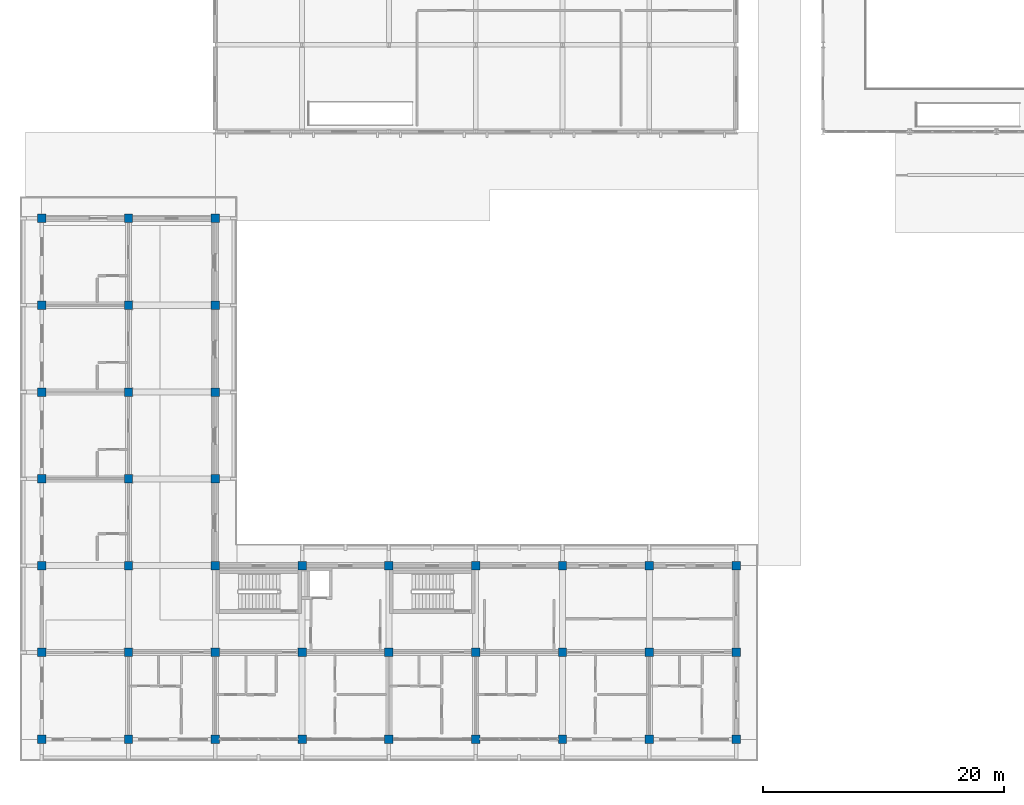
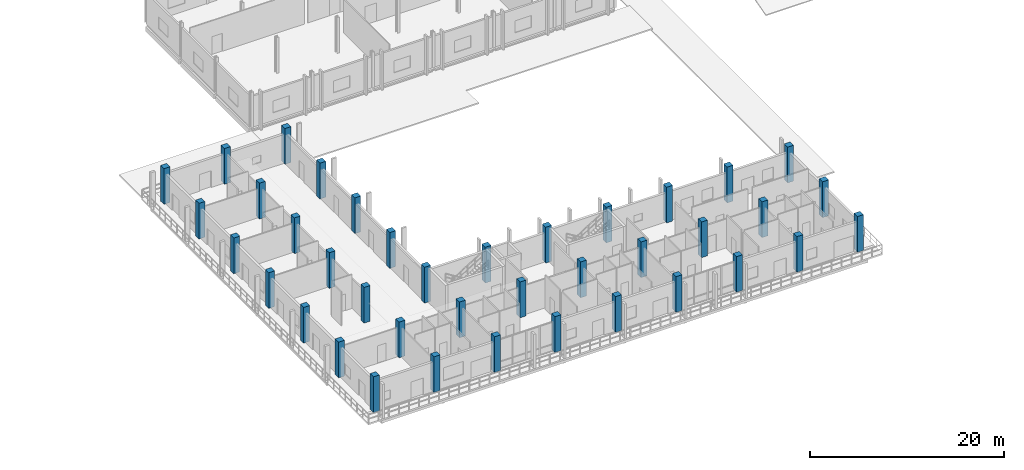
# One storey, part 1 of 110: 39 columns.
"""IFC4 building model written with IfcOpenShell, lengths in metres."""

from ifc_helpers import new_model, si_unit, direction, frame, origin, origin_2d, place, context, subcontext, project, spatial, rectangle, extrude, material, material_profile, profile_set, type_object, element, save


model = new_model("IFC4")

# Units and contexts
model_context = context("Model", 3, precision=1e-05, world=origin(), true_north=direction((0.0, 1.0)))
body_context = subcontext(model_context, "Body", "Model", "MODEL_VIEW")
ifc_project = project(units=[si_unit("LENGTHUNIT", "METRE"), si_unit("AREAUNIT", "SQUARE_METRE"), si_unit("VOLUMEUNIT", "CUBIC_METRE"), si_unit("PLANEANGLEUNIT", "RADIAN"), si_unit("MASSUNIT", "GRAM", prefix="KILO")], contexts=[model_context])

# Site, building, storey
site_placement = place(None, origin())
site = spatial("IfcSite", under=ifc_project, at=site_placement, CompositionType="ELEMENT")
building_placement = place(site_placement, origin())
building = spatial("IfcBuilding", under=site, at=building_placement, Name="Suanplinth Sawtooth Commons", CompositionType="ELEMENT")
storey_placement = place(building_placement, frame((0.0, 0.0, 4.5)))
storey = spatial("IfcBuildingStorey", under=building, at=storey_placement, Name="L01", CompositionType="ELEMENT", Elevation=4.5)

# Columns
ifc_material = material(Name="Concrete C40/50", Category="concrete")
ifc_material_profile = material_profile(ifc_material, rectangle(XDim=0.699951171875, YDim=0.699951171875, at=origin_2d()), Name="RC-COL 700x700")
ifc_profile_set = profile_set([ifc_material_profile], Name="Concrete C40/50")
column_type = type_object("IfcColumnType", Name="C-02", PredefinedType="COLUMN", material=ifc_profile_set)
for number, where, z_axis, x_axis, name in (
    (1, (0.0, 0.0, 0.0), (0.0, 0.0, 1.0), (1.0, 0.0, 0.0), "Column L01 1/A"),
    (2, (0.0, 7.199951171875, 0.0), (0.0, 0.0, 1.0), (1.0, 0.0, 0.0), "Column L01 1/B"),
    (3, (0.0, 14.39990234375, 0.0), (0.0, 0.0, 1.0), (1.0, 0.0, 0.0), "Column L01 1/C"),
    (4, (0.0, 21.60009765625, 0.0), (0.0, 0.0, 1.0), (1.0, 0.0, 0.0), "Column L01 1/D"),
    (5, (0.0, 28.800048828125, 0.0), (0.0, 0.0, 1.0), (1.0, 0.0, 0.0), "Column L01 1/E"),
    (6, (0.0, 36.0, 0.0), (0.0, 0.0, 1.0), (1.0, 0.0, 0.0), "Column L01 1/F"),
    (7, (0.0, 43.199951171875, 0.0), (0.0, 0.0, 1.0), (1.0, 0.0, 0.0), "Column L01 1/G"),
    (8, (7.199951171875, 0.0, 0.0), (0.0, 0.0, 1.0), (1.0, 0.0, 0.0), "Column L01 2/A"),
    (9, (7.199951171875, 7.199951171875, 0.0), (0.0, 0.0, 1.0), (1.0, 0.0, 0.0), "Column L01 2/B"),
    (10, (7.199951171875, 14.39990234375, 0.0), (0.0, 0.0, 1.0), (1.0, 0.0, 0.0), "Column L01 2/C"),
    (11, (7.199951171875, 21.60009765625, 0.0), (0.0, 0.0, 1.0), (1.0, 0.0, 0.0), "Column L01 2/D"),
    (12, (7.199951171875, 28.800048828125, 0.0), (0.0, 0.0, 1.0), (1.0, 0.0, 0.0), "Column L01 2/E"),
    (13, (7.199951171875, 36.0, 0.0), (0.0, 0.0, 1.0), (1.0, 0.0, 0.0), "Column L01 2/F"),
    (14, (7.199951171875, 43.199951171875, 0.0), (0.0, 0.0, 1.0), (1.0, 0.0, 0.0), "Column L01 2/G"),
    (15, (14.39990234375, 0.0, 0.0), (0.0, 0.0, 1.0), (1.0, 0.0, 0.0), "Column L01 3/A"),
    (16, (14.39990234375, 7.199951171875, 0.0), (0.0, 0.0, 1.0), (1.0, 0.0, 0.0), "Column L01 3/B"),
    (17, (14.39990234375, 14.39990234375, 0.0), (0.0, 0.0, 1.0), (1.0, 0.0, 0.0), "Column L01 3/C"),
    (18, (14.39990234375, 21.60009765625, 0.0), (0.0, 0.0, 1.0), (1.0, 0.0, 0.0), "Column L01 3/D"),
    (19, (14.39990234375, 28.800048828125, 0.0), (0.0, 0.0, 1.0), (1.0, 0.0, 0.0), "Column L01 3/E"),
    (20, (14.39990234375, 36.0, 0.0), (0.0, 0.0, 1.0), (1.0, 0.0, 0.0), "Column L01 3/F"),
    (21, (14.39990234375, 43.199951171875, 0.0), (0.0, 0.0, 1.0), (1.0, 0.0, 0.0), "Column L01 3/G"),
    (22, (21.60009765625, 0.0, 0.0), (0.0, 0.0, 1.0), (1.0, 0.0, 0.0), "Column L01 4/A"),
    (23, (21.60009765625, 7.199951171875, 0.0), (0.0, 0.0, 1.0), (1.0, 0.0, 0.0), "Column L01 4/B"),
    (24, (21.60009765625, 14.39990234375, 0.0), (0.0, 0.0, 1.0), (1.0, 0.0, 0.0), "Column L01 4/C"),
    (25, (28.800048828125, 0.0, 0.0), (0.0, 0.0, 1.0), (1.0, 0.0, 0.0), "Column L01 5/A"),
    (26, (28.800048828125, 7.199951171875, 0.0), (0.0, 0.0, 1.0), (1.0, 0.0, 0.0), "Column L01 5/B"),
    (27, (28.800048828125, 14.39990234375, 0.0), (0.0, 0.0, 1.0), (1.0, 0.0, 0.0), "Column L01 5/C"),
    (28, (36.0, 0.0, 0.0), (0.0, 0.0, 1.0), (1.0, 0.0, 0.0), "Column L01 6/A"),
    (29, (36.0, 7.199951171875, 0.0), (0.0, 0.0, 1.0), (1.0, 0.0, 0.0), "Column L01 6/B"),
    (30, (36.0, 14.39990234375, 0.0), (0.0, 0.0, 1.0), (1.0, 0.0, 0.0), "Column L01 6/C"),
    (31, (43.199951171875, 0.0, 0.0), (0.0, 0.0, 1.0), (1.0, 0.0, 0.0), "Column L01 7/A"),
    (32, (43.199951171875, 7.199951171875, 0.0), (0.0, 0.0, 1.0), (1.0, 0.0, 0.0), "Column L01 7/B"),
    (33, (43.199951171875, 14.39990234375, 0.0), (0.0, 0.0, 1.0), (1.0, 0.0, 0.0), "Column L01 7/C"),
    (34, (50.39990234375, 0.0, 0.0), (0.0, 0.0, 1.0), (1.0, 0.0, 0.0), "Column L01 8/A"),
    (35, (50.39990234375, 7.199951171875, 0.0), (0.0, 0.0, 1.0), (1.0, 0.0, 0.0), "Column L01 8/B"),
    (36, (50.39990234375, 14.39990234375, 0.0), (0.0, 0.0, 1.0), (1.0, 0.0, 0.0), "Column L01 8/C"),
    (37, (57.60009765625, 0.0, 0.0), (0.0, 0.0, 1.0), (1.0, 0.0, 0.0), "Column L01 9/A"),
    (38, (57.60009765625, 7.199951171875, 0.0), (0.0, 0.0, 1.0), (1.0, 0.0, 0.0), "Column L01 9/B"),
    (39, (57.60009765625, 14.39990234375, 0.0), (0.0, 0.0, 1.0), (1.0, 0.0, 0.0), "Column L01 9/C"),
):
    element("IfcColumn", number, at=place(storey_placement, frame(where, z_axis=z_axis, x_axis=x_axis)), inside=storey, type_object=column_type, Name=name, PredefinedType="COLUMN", context=body_context, shape_type="SweptSolid", body=[
        extrude(rectangle(XDim=0.699951171875, YDim=0.699951171875, at=origin_2d()), origin(), (0.0, 0.0, 1.0), 4.5),
    ])

save(model, "model.ifc")
